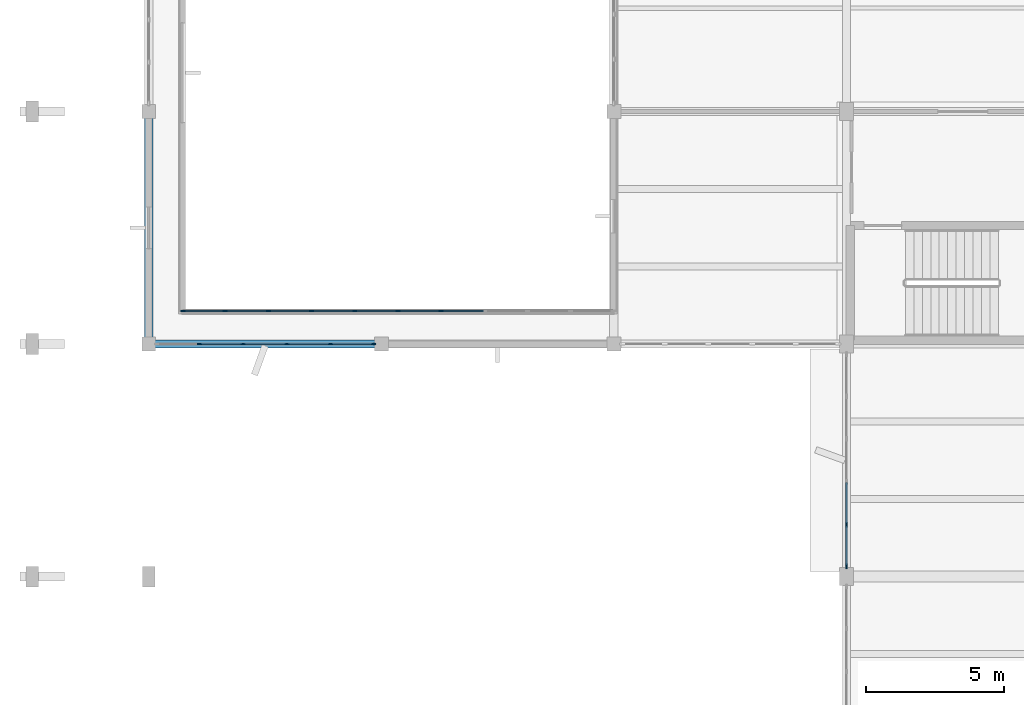
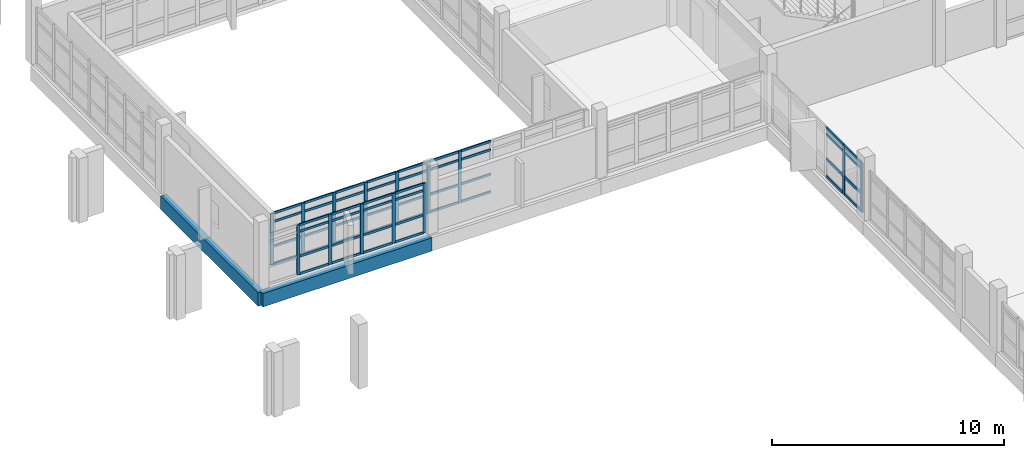
# One storey, part 28 of 104: 66 members, 2 beams, 3 elements without a shape of their own.
"""IFC4 building model written with IfcOpenShell, lengths in metres."""

from ifc_helpers import new_model, si_unit, direction, frame, origin, origin_2d, place, context, subcontext, project, spatial, rectangle, extrude, material, material_profile, profile_set, type_object, element, aggregate, save


model = new_model("IFC4")

# Units and contexts
model_context = context("Model", 3, precision=1e-05, world=origin(), true_north=direction((0.0, 1.0)))
body_context = subcontext(model_context, "Body", "Model", "MODEL_VIEW")
ifc_project = project(units=[si_unit("LENGTHUNIT", "METRE"), si_unit("AREAUNIT", "SQUARE_METRE"), si_unit("VOLUMEUNIT", "CUBIC_METRE"), si_unit("PLANEANGLEUNIT", "RADIAN"), si_unit("MASSUNIT", "GRAM", prefix="KILO")], contexts=[model_context])

# Site, building, storey
site_placement = place(None, origin())
site = spatial("IfcSite", under=ifc_project, at=site_placement, CompositionType="ELEMENT")
building_placement = place(site_placement, origin())
building = spatial("IfcBuilding", under=site, at=building_placement, Name="Vanh Quang Courtyard School", CompositionType="ELEMENT")
storey_placement = place(building_placement, frame((0.0, 0.0, 4.199951171875)))
storey = spatial("IfcBuildingStorey", under=building, at=storey_placement, Name="L01", CompositionType="ELEMENT", Elevation=4.199951171875)

# Beams
ifc_material_1 = material(Name="Concrete C35/45", Category="concrete")
ifc_material_profile_1 = material_profile(ifc_material_1, rectangle(XDim=0.300048828125, YDim=0.699951171875, at=origin_2d()), Name="RC-SP 300x700")
ifc_profile_set_1 = profile_set([ifc_material_profile_1], Name="Concrete C35/45")
beam_type = type_object("IfcBeamType", Name="BM-SP-300x700", PredefinedType="SPANDREL", material=ifc_profile_set_1)
for number, where, z_axis, x_axis, name in (
    (1, (4.199951171875, 88.199951171875, -0.6298828125), (1.0, 0.0, 0.0), (0.0, 1.0, 0.0), "Beam BS-01 (L01)"),
    (2, (4.199951171875, 88.199951171875, -0.6298828125), (0.0, 1.0, 0.0), (-1.0, 0.0, 0.0), "Beam BS-01 (L01)"),
):
    element("IfcBeam", number, at=place(storey_placement, frame(where, z_axis=z_axis, x_axis=x_axis)), inside=storey, type_object=beam_type, Name=name, PredefinedType="SPANDREL", context=body_context, shape_type="SweptSolid", body=[
        extrude(rectangle(XDim=0.300048828125, YDim=0.699951171875, at=origin_2d()), origin(), (0.0, 0.0, 1.0), 8.400146484375),
    ])

# Curtain wall, members
ifc_material_2 = material(Name="Thermally broken aluminium unitised curtain wall", Category="aluminium")
curtain_wall_type_1 = type_object("IfcCurtainWallType", Name="CW-SYS-19", PredefinedType="NOTDEFINED", material=ifc_material_2)
curtain_wall_1_placement = place(storey_placement, origin())
curtain_wall_1 = element("IfcCurtainWall", 3, at=curtain_wall_1_placement, inside=storey, type_object=curtain_wall_type_1, Name="Curtain Wall CW-19 (L01)", PredefinedType="NOTDEFINED")
ifc_material_3 = material(Name="Anodised aluminium 6063-T6", Category="aluminium")
ifc_material_profile_2 = material_profile(ifc_material_3, rectangle(XDim=0.06005859375, YDim=0.159912109375, at=origin_2d()), Name="ALU-MUL 60x160")
ifc_profile_set_2 = profile_set([ifc_material_profile_2], Name="Anodised aluminium 6063-T6")
member_type_1 = type_object("IfcMemberType", Name="CW-MUL-60x160", PredefinedType="MULLION", material=ifc_profile_set_2)
member_1_placement = place(storey_placement, frame((12.31201171875, 88.199951171875, 0.0), z_axis=(0.0, 0.0, 1.0), x_axis=(0.0, -1.0, 0.0)))
member_1 = element("IfcMember", 4, at=member_1_placement, type_object=member_type_1, Name="CW-19 mullion 1", PredefinedType="MULLION", context=body_context, shape_type="SweptSolid", body=[
    extrude(rectangle(XDim=0.06005859375, YDim=0.159912109375, at=origin_2d()), origin(), (0.0, 0.0, 1.0), 2.6201171875),
])
member_2_placement = place(storey_placement, frame((10.76513671875, 88.199951171875, 0.0), z_axis=(0.0, 0.0, 1.0), x_axis=(0.0, -1.0, 0.0)))
member_2 = element("IfcMember", 5, at=member_2_placement, type_object=member_type_1, Name="CW-19 mullion 2", PredefinedType="MULLION", context=body_context, shape_type="SweptSolid", body=[
    extrude(rectangle(XDim=0.06005859375, YDim=0.159912109375, at=origin_2d()), origin(), (0.0, 0.0, 1.0), 2.6201171875),
])
member_3_placement = place(storey_placement, frame((9.1884765625, 88.199951171875, 0.0), z_axis=(0.0, 0.0, 1.0), x_axis=(0.0, -1.0, 0.0)))
member_3 = element("IfcMember", 6, at=member_3_placement, type_object=member_type_1, Name="CW-19 mullion 3", PredefinedType="MULLION", context=body_context, shape_type="SweptSolid", body=[
    extrude(rectangle(XDim=0.06005859375, YDim=0.159912109375, at=origin_2d()), origin(), (0.0, 0.0, 1.0), 2.6201171875),
])
member_4_placement = place(storey_placement, frame((7.611572265625, 88.199951171875, 0.0), z_axis=(0.0, 0.0, 1.0), x_axis=(0.0, -1.0, 0.0)))
member_4 = element("IfcMember", 7, at=member_4_placement, type_object=member_type_1, Name="CW-19 mullion 4", PredefinedType="MULLION", context=body_context, shape_type="SweptSolid", body=[
    extrude(rectangle(XDim=0.06005859375, YDim=0.159912109375, at=origin_2d()), origin(), (0.0, 0.0, 1.0), 2.6201171875),
])
member_5_placement = place(storey_placement, frame((6.034912109375, 88.199951171875, 0.0), z_axis=(0.0, 0.0, 1.0), x_axis=(0.0, -1.0, 0.0)))
member_5 = element("IfcMember", 8, at=member_5_placement, type_object=member_type_1, Name="CW-19 mullion 5", PredefinedType="MULLION", context=body_context, shape_type="SweptSolid", body=[
    extrude(rectangle(XDim=0.06005859375, YDim=0.159912109375, at=origin_2d()), origin(), (0.0, 0.0, 1.0), 2.6201171875),
])

curtain_wall_type_2 = type_object("IfcCurtainWallType", Name="CW-SYS-35", PredefinedType="NOTDEFINED", material=ifc_material_2)
curtain_wall_2_placement = place(storey_placement, origin())
curtain_wall_2 = element("IfcCurtainWall", 9, at=curtain_wall_2_placement, inside=storey, type_object=curtain_wall_type_2, Name="Curtain Wall CW-35 (L01)", PredefinedType="NOTDEFINED")
member_6_placement = place(storey_placement, frame((5.429931640625, 89.39990234375, 0.0), z_axis=(0.0, 0.0, 1.0), x_axis=(0.0, 1.0, 0.0)))
member_6 = element("IfcMember", 10, at=member_6_placement, type_object=member_type_1, Name="CW-35 mullion 1", PredefinedType="MULLION", context=body_context, shape_type="SweptSolid", body=[
    extrude(rectangle(XDim=0.06005859375, YDim=0.159912109375, at=origin_2d()), origin(), (0.0, 0.0, 1.0), 2.719970703125),
])
member_7_placement = place(storey_placement, frame((6.9599609375, 89.39990234375, 0.0), z_axis=(0.0, 0.0, 1.0), x_axis=(0.0, 1.0, 0.0)))
member_7 = element("IfcMember", 11, at=member_7_placement, type_object=member_type_1, Name="CW-35 mullion 2", PredefinedType="MULLION", context=body_context, shape_type="SweptSolid", body=[
    extrude(rectangle(XDim=0.06005859375, YDim=0.159912109375, at=origin_2d()), origin(), (0.0, 0.0, 1.0), 2.719970703125),
])
member_8_placement = place(storey_placement, frame((8.52001953125, 89.39990234375, 0.0), z_axis=(0.0, 0.0, 1.0), x_axis=(0.0, 1.0, 0.0)))
member_8 = element("IfcMember", 12, at=member_8_placement, type_object=member_type_1, Name="CW-35 mullion 3", PredefinedType="MULLION", context=body_context, shape_type="SweptSolid", body=[
    extrude(rectangle(XDim=0.06005859375, YDim=0.159912109375, at=origin_2d()), origin(), (0.0, 0.0, 1.0), 2.719970703125),
])
member_9_placement = place(storey_placement, frame((10.080078125, 89.39990234375, 0.0), z_axis=(0.0, 0.0, 1.0), x_axis=(0.0, 1.0, 0.0)))
member_9 = element("IfcMember", 13, at=member_9_placement, type_object=member_type_1, Name="CW-35 mullion 4", PredefinedType="MULLION", context=body_context, shape_type="SweptSolid", body=[
    extrude(rectangle(XDim=0.06005859375, YDim=0.159912109375, at=origin_2d()), origin(), (0.0, 0.0, 1.0), 2.719970703125),
])
member_10_placement = place(storey_placement, frame((11.639892578125, 89.39990234375, 0.0), z_axis=(0.0, 0.0, 1.0), x_axis=(0.0, 1.0, 0.0)))
member_10 = element("IfcMember", 14, at=member_10_placement, type_object=member_type_1, Name="CW-35 mullion 5", PredefinedType="MULLION", context=body_context, shape_type="SweptSolid", body=[
    extrude(rectangle(XDim=0.06005859375, YDim=0.159912109375, at=origin_2d()), origin(), (0.0, 0.0, 1.0), 2.719970703125),
])
member_11_placement = place(storey_placement, frame((13.199951171875, 89.39990234375, 0.0), z_axis=(0.0, 0.0, 1.0), x_axis=(0.0, 1.0, 0.0)))
member_11 = element("IfcMember", 15, at=member_11_placement, type_object=member_type_1, Name="CW-35 mullion 6", PredefinedType="MULLION", context=body_context, shape_type="SweptSolid", body=[
    extrude(rectangle(XDim=0.06005859375, YDim=0.159912109375, at=origin_2d()), origin(), (0.0, 0.0, 1.0), 2.719970703125),
])
member_12_placement = place(storey_placement, frame((14.760009765625, 89.39990234375, 0.0), z_axis=(0.0, 0.0, 1.0), x_axis=(0.0, 1.0, 0.0)))
member_12 = element("IfcMember", 16, at=member_12_placement, type_object=member_type_1, Name="CW-35 mullion 7", PredefinedType="MULLION", context=body_context, shape_type="SweptSolid", body=[
    extrude(rectangle(XDim=0.06005859375, YDim=0.159912109375, at=origin_2d()), origin(), (0.0, 0.0, 1.0), 2.719970703125),
])

curtain_wall_type_3 = type_object("IfcCurtainWallType", Name="CW-SYS-21", PredefinedType="NOTDEFINED", material=ifc_material_2)
curtain_wall_3_placement = place(storey_placement, origin())
curtain_wall_3 = element("IfcCurtainWall", 17, at=curtain_wall_3_placement, inside=storey, type_object=curtain_wall_type_3, Name="Curtain Wall CW-21 (L01)", PredefinedType="NOTDEFINED")
ifc_material_profile_3 = material_profile(ifc_material_3, rectangle(XDim=0.070068359375, YDim=0.179931640625, at=origin_2d()), Name="ALU-MUL 70x180")
ifc_profile_set_3 = profile_set([ifc_material_profile_3], Name="Anodised aluminium 6063-T6")
member_type_2 = type_object("IfcMemberType", Name="CW-MUL-70x180", PredefinedType="MULLION", material=ifc_profile_set_3)
member_13_placement = place(storey_placement, frame((29.39990234375, 80.16796875, 0.0), z_axis=(0.0, 0.0, 1.0), x_axis=(-1.0, 0.0, 0.0)))
member_13 = element("IfcMember", 18, at=member_13_placement, type_object=member_type_2, Name="CW-21 mullion 1", PredefinedType="MULLION", context=body_context, shape_type="SweptSolid", body=[
    extrude(rectangle(XDim=0.070068359375, YDim=0.179931640625, at=origin_2d()), origin(), (0.0, 0.0, 1.0), 2.580078125),
])
member_14_placement = place(storey_placement, frame((29.39990234375, 81.6796875, 0.0), z_axis=(0.0, 0.0, 1.0), x_axis=(-1.0, 0.0, 0.0)))
member_14 = element("IfcMember", 19, at=member_14_placement, type_object=member_type_2, Name="CW-21 mullion 2", PredefinedType="MULLION", context=body_context, shape_type="SweptSolid", body=[
    extrude(rectangle(XDim=0.070068359375, YDim=0.179931640625, at=origin_2d()), origin(), (0.0, 0.0, 1.0), 2.580078125),
])

# Member
ifc_material_profile_4 = material_profile(ifc_material_3, rectangle(XDim=0.06005859375, YDim=0.1201171875, at=origin_2d()), Name="ALU-TRN 60x120")
ifc_profile_set_4 = profile_set([ifc_material_profile_4], Name="Anodised aluminium 6063-T6")
member_type_3 = type_object("IfcMemberType", Name="CW-TRN-60x120", PredefinedType="USERDEFINED", material=ifc_profile_set_4)
member_15_placement = place(storey_placement, frame((12.281982421875, 88.199951171875, 0.030029296875), z_axis=(-1.0, 0.0, 0.0), x_axis=(0.0, -1.0, 0.0)))
member_15 = element("IfcMember", 20, at=member_15_placement, type_object=member_type_3, Name="CW-19 transom 1.1", ObjectType="TRANSOM", PredefinedType="USERDEFINED", context=body_context, shape_type="SweptSolid", body=[
    extrude(rectangle(XDim=0.06005859375, YDim=0.1201171875, at=origin_2d()), origin(), (0.0, 0.0, 1.0), 1.48681640625),
])

member_16_placement = place(storey_placement, frame((12.281982421875, 88.199951171875, 0.949951171875), z_axis=(-1.0, 0.0, 0.0), x_axis=(0.0, -1.0, 0.0)))
member_16 = element("IfcMember", 21, at=member_16_placement, type_object=member_type_3, Name="CW-19 transom 1.2", ObjectType="TRANSOM", PredefinedType="USERDEFINED", context=body_context, shape_type="SweptSolid", body=[
    extrude(rectangle(XDim=0.06005859375, YDim=0.1201171875, at=origin_2d()), origin(), (0.0, 0.0, 1.0), 1.48681640625),
])

member_17_placement = place(storey_placement, frame((12.281982421875, 88.199951171875, 2.25), z_axis=(-1.0, 0.0, 0.0), x_axis=(0.0, -1.0, 0.0)))
member_17 = element("IfcMember", 22, at=member_17_placement, type_object=member_type_3, Name="CW-19 transom 1.3", ObjectType="TRANSOM", PredefinedType="USERDEFINED", context=body_context, shape_type="SweptSolid", body=[
    extrude(rectangle(XDim=0.06005859375, YDim=0.1201171875, at=origin_2d()), origin(), (0.0, 0.0, 1.0), 1.48681640625),
])

member_18_placement = place(storey_placement, frame((12.281982421875, 88.199951171875, 2.590087890625), z_axis=(-1.0, 0.0, 0.0), x_axis=(0.0, -1.0, 0.0)))
member_18 = element("IfcMember", 23, at=member_18_placement, type_object=member_type_3, Name="CW-19 transom 1.4", ObjectType="TRANSOM", PredefinedType="USERDEFINED", context=body_context, shape_type="SweptSolid", body=[
    extrude(rectangle(XDim=0.06005859375, YDim=0.1201171875, at=origin_2d()), origin(), (0.0, 0.0, 1.0), 1.48681640625),
])

member_19_placement = place(storey_placement, frame((10.735107421875, 88.199951171875, 0.030029296875), z_axis=(-1.0, 0.0, 0.0), x_axis=(0.0, -1.0, 0.0)))
member_19 = element("IfcMember", 24, at=member_19_placement, type_object=member_type_3, Name="CW-19 transom 2.1", ObjectType="TRANSOM", PredefinedType="USERDEFINED", context=body_context, shape_type="SweptSolid", body=[
    extrude(rectangle(XDim=0.06005859375, YDim=0.1201171875, at=origin_2d()), origin(), (0.0, 0.0, 1.0), 1.5166015625),
])

member_20_placement = place(storey_placement, frame((10.735107421875, 88.199951171875, 0.949951171875), z_axis=(-1.0, 0.0, 0.0), x_axis=(0.0, -1.0, 0.0)))
member_20 = element("IfcMember", 25, at=member_20_placement, type_object=member_type_3, Name="CW-19 transom 2.2", ObjectType="TRANSOM", PredefinedType="USERDEFINED", context=body_context, shape_type="SweptSolid", body=[
    extrude(rectangle(XDim=0.06005859375, YDim=0.1201171875, at=origin_2d()), origin(), (0.0, 0.0, 1.0), 1.5166015625),
])

member_21_placement = place(storey_placement, frame((10.735107421875, 88.199951171875, 2.25), z_axis=(-1.0, 0.0, 0.0), x_axis=(0.0, -1.0, 0.0)))
member_21 = element("IfcMember", 26, at=member_21_placement, type_object=member_type_3, Name="CW-19 transom 2.3", ObjectType="TRANSOM", PredefinedType="USERDEFINED", context=body_context, shape_type="SweptSolid", body=[
    extrude(rectangle(XDim=0.06005859375, YDim=0.1201171875, at=origin_2d()), origin(), (0.0, 0.0, 1.0), 1.5166015625),
])

member_22_placement = place(storey_placement, frame((10.735107421875, 88.199951171875, 2.590087890625), z_axis=(-1.0, 0.0, 0.0), x_axis=(0.0, -1.0, 0.0)))
member_22 = element("IfcMember", 27, at=member_22_placement, type_object=member_type_3, Name="CW-19 transom 2.4", ObjectType="TRANSOM", PredefinedType="USERDEFINED", context=body_context, shape_type="SweptSolid", body=[
    extrude(rectangle(XDim=0.06005859375, YDim=0.1201171875, at=origin_2d()), origin(), (0.0, 0.0, 1.0), 1.5166015625),
])

member_23_placement = place(storey_placement, frame((9.158447265625, 88.199951171875, 0.030029296875), z_axis=(-1.0, 0.0, 0.0), x_axis=(0.0, -1.0, 0.0)))
member_23 = element("IfcMember", 28, at=member_23_placement, type_object=member_type_3, Name="CW-19 transom 3.1", ObjectType="TRANSOM", PredefinedType="USERDEFINED", context=body_context, shape_type="SweptSolid", body=[
    extrude(rectangle(XDim=0.06005859375, YDim=0.1201171875, at=origin_2d()), origin(), (0.0, 0.0, 1.0), 1.516845703125),
])

member_24_placement = place(storey_placement, frame((9.158447265625, 88.199951171875, 0.949951171875), z_axis=(-1.0, 0.0, 0.0), x_axis=(0.0, -1.0, 0.0)))
member_24 = element("IfcMember", 29, at=member_24_placement, type_object=member_type_3, Name="CW-19 transom 3.2", ObjectType="TRANSOM", PredefinedType="USERDEFINED", context=body_context, shape_type="SweptSolid", body=[
    extrude(rectangle(XDim=0.06005859375, YDim=0.1201171875, at=origin_2d()), origin(), (0.0, 0.0, 1.0), 1.516845703125),
])

member_25_placement = place(storey_placement, frame((9.158447265625, 88.199951171875, 2.25), z_axis=(-1.0, 0.0, 0.0), x_axis=(0.0, -1.0, 0.0)))
member_25 = element("IfcMember", 30, at=member_25_placement, type_object=member_type_3, Name="CW-19 transom 3.3", ObjectType="TRANSOM", PredefinedType="USERDEFINED", context=body_context, shape_type="SweptSolid", body=[
    extrude(rectangle(XDim=0.06005859375, YDim=0.1201171875, at=origin_2d()), origin(), (0.0, 0.0, 1.0), 1.516845703125),
])

member_26_placement = place(storey_placement, frame((9.158447265625, 88.199951171875, 2.590087890625), z_axis=(-1.0, 0.0, 0.0), x_axis=(0.0, -1.0, 0.0)))
member_26 = element("IfcMember", 31, at=member_26_placement, type_object=member_type_3, Name="CW-19 transom 3.4", ObjectType="TRANSOM", PredefinedType="USERDEFINED", context=body_context, shape_type="SweptSolid", body=[
    extrude(rectangle(XDim=0.06005859375, YDim=0.1201171875, at=origin_2d()), origin(), (0.0, 0.0, 1.0), 1.516845703125),
])

member_27_placement = place(storey_placement, frame((7.58154296875, 88.199951171875, 0.030029296875), z_axis=(-1.0, 0.0, 0.0), x_axis=(0.0, -1.0, 0.0)))
member_27 = element("IfcMember", 32, at=member_27_placement, type_object=member_type_3, Name="CW-19 transom 4.1", ObjectType="TRANSOM", PredefinedType="USERDEFINED", context=body_context, shape_type="SweptSolid", body=[
    extrude(rectangle(XDim=0.06005859375, YDim=0.1201171875, at=origin_2d()), origin(), (0.0, 0.0, 1.0), 1.516845703125),
])

member_28_placement = place(storey_placement, frame((7.58154296875, 88.199951171875, 0.949951171875), z_axis=(-1.0, 0.0, 0.0), x_axis=(0.0, -1.0, 0.0)))
member_28 = element("IfcMember", 33, at=member_28_placement, type_object=member_type_3, Name="CW-19 transom 4.2", ObjectType="TRANSOM", PredefinedType="USERDEFINED", context=body_context, shape_type="SweptSolid", body=[
    extrude(rectangle(XDim=0.06005859375, YDim=0.1201171875, at=origin_2d()), origin(), (0.0, 0.0, 1.0), 1.516845703125),
])

member_29_placement = place(storey_placement, frame((7.58154296875, 88.199951171875, 2.25), z_axis=(-1.0, 0.0, 0.0), x_axis=(0.0, -1.0, 0.0)))
member_29 = element("IfcMember", 34, at=member_29_placement, type_object=member_type_3, Name="CW-19 transom 4.3", ObjectType="TRANSOM", PredefinedType="USERDEFINED", context=body_context, shape_type="SweptSolid", body=[
    extrude(rectangle(XDim=0.06005859375, YDim=0.1201171875, at=origin_2d()), origin(), (0.0, 0.0, 1.0), 1.516845703125),
])

member_30_placement = place(storey_placement, frame((7.58154296875, 88.199951171875, 2.590087890625), z_axis=(-1.0, 0.0, 0.0), x_axis=(0.0, -1.0, 0.0)))
member_30 = element("IfcMember", 35, at=member_30_placement, type_object=member_type_3, Name="CW-19 transom 4.4", ObjectType="TRANSOM", PredefinedType="USERDEFINED", context=body_context, shape_type="SweptSolid", body=[
    extrude(rectangle(XDim=0.06005859375, YDim=0.1201171875, at=origin_2d()), origin(), (0.0, 0.0, 1.0), 1.516845703125),
])

aggregate(curtain_wall_1, [member_1, member_2, member_3, member_4, member_5, member_15, member_16, member_17, member_18, member_19, member_20, member_21, member_22, member_23, member_24, member_25, member_26, member_27, member_28, member_29, member_30])

member_31_placement = place(storey_placement, frame((5.4599609375, 89.39990234375, 0.030029296875), z_axis=(1.0, 0.0, 0.0), x_axis=(0.0, 1.0, 0.0)))
member_31 = element("IfcMember", 36, at=member_31_placement, type_object=member_type_3, Name="CW-35 transom 1.1", ObjectType="TRANSOM", PredefinedType="USERDEFINED", context=body_context, shape_type="SweptSolid", body=[
    extrude(rectangle(XDim=0.06005859375, YDim=0.1201171875, at=origin_2d()), origin(), (0.0, 0.0, 1.0), 1.469970703125),
])

member_32_placement = place(storey_placement, frame((5.4599609375, 89.39990234375, 0.949951171875), z_axis=(1.0, 0.0, 0.0), x_axis=(0.0, 1.0, 0.0)))
member_32 = element("IfcMember", 37, at=member_32_placement, type_object=member_type_3, Name="CW-35 transom 1.2", ObjectType="TRANSOM", PredefinedType="USERDEFINED", context=body_context, shape_type="SweptSolid", body=[
    extrude(rectangle(XDim=0.06005859375, YDim=0.1201171875, at=origin_2d()), origin(), (0.0, 0.0, 1.0), 1.469970703125),
])

member_33_placement = place(storey_placement, frame((5.4599609375, 89.39990234375, 2.25), z_axis=(1.0, 0.0, 0.0), x_axis=(0.0, 1.0, 0.0)))
member_33 = element("IfcMember", 38, at=member_33_placement, type_object=member_type_3, Name="CW-35 transom 1.3", ObjectType="TRANSOM", PredefinedType="USERDEFINED", context=body_context, shape_type="SweptSolid", body=[
    extrude(rectangle(XDim=0.06005859375, YDim=0.1201171875, at=origin_2d()), origin(), (0.0, 0.0, 1.0), 1.469970703125),
])

member_34_placement = place(storey_placement, frame((5.4599609375, 89.39990234375, 2.68994140625), z_axis=(1.0, 0.0, 0.0), x_axis=(0.0, 1.0, 0.0)))
member_34 = element("IfcMember", 39, at=member_34_placement, type_object=member_type_3, Name="CW-35 transom 1.4", ObjectType="TRANSOM", PredefinedType="USERDEFINED", context=body_context, shape_type="SweptSolid", body=[
    extrude(rectangle(XDim=0.06005859375, YDim=0.1201171875, at=origin_2d()), origin(), (0.0, 0.0, 1.0), 1.469970703125),
])

member_35_placement = place(storey_placement, frame((6.989990234375, 89.39990234375, 0.030029296875), z_axis=(1.0, 0.0, 0.0), x_axis=(0.0, 1.0, 0.0)))
member_35 = element("IfcMember", 40, at=member_35_placement, type_object=member_type_3, Name="CW-35 transom 2.1", ObjectType="TRANSOM", PredefinedType="USERDEFINED", context=body_context, shape_type="SweptSolid", body=[
    extrude(rectangle(XDim=0.06005859375, YDim=0.1201171875, at=origin_2d()), origin(), (0.0, 0.0, 1.0), 1.5),
])

member_36_placement = place(storey_placement, frame((6.989990234375, 89.39990234375, 0.949951171875), z_axis=(1.0, 0.0, 0.0), x_axis=(0.0, 1.0, 0.0)))
member_36 = element("IfcMember", 41, at=member_36_placement, type_object=member_type_3, Name="CW-35 transom 2.2", ObjectType="TRANSOM", PredefinedType="USERDEFINED", context=body_context, shape_type="SweptSolid", body=[
    extrude(rectangle(XDim=0.06005859375, YDim=0.1201171875, at=origin_2d()), origin(), (0.0, 0.0, 1.0), 1.5),
])

member_37_placement = place(storey_placement, frame((6.989990234375, 89.39990234375, 2.25), z_axis=(1.0, 0.0, 0.0), x_axis=(0.0, 1.0, 0.0)))
member_37 = element("IfcMember", 42, at=member_37_placement, type_object=member_type_3, Name="CW-35 transom 2.3", ObjectType="TRANSOM", PredefinedType="USERDEFINED", context=body_context, shape_type="SweptSolid", body=[
    extrude(rectangle(XDim=0.06005859375, YDim=0.1201171875, at=origin_2d()), origin(), (0.0, 0.0, 1.0), 1.5),
])

member_38_placement = place(storey_placement, frame((6.989990234375, 89.39990234375, 2.68994140625), z_axis=(1.0, 0.0, 0.0), x_axis=(0.0, 1.0, 0.0)))
member_38 = element("IfcMember", 43, at=member_38_placement, type_object=member_type_3, Name="CW-35 transom 2.4", ObjectType="TRANSOM", PredefinedType="USERDEFINED", context=body_context, shape_type="SweptSolid", body=[
    extrude(rectangle(XDim=0.06005859375, YDim=0.1201171875, at=origin_2d()), origin(), (0.0, 0.0, 1.0), 1.5),
])

member_39_placement = place(storey_placement, frame((8.550048828125, 89.39990234375, 0.030029296875), z_axis=(1.0, 0.0, 0.0), x_axis=(0.0, 1.0, 0.0)))
member_39 = element("IfcMember", 44, at=member_39_placement, type_object=member_type_3, Name="CW-35 transom 3.1", ObjectType="TRANSOM", PredefinedType="USERDEFINED", context=body_context, shape_type="SweptSolid", body=[
    extrude(rectangle(XDim=0.06005859375, YDim=0.1201171875, at=origin_2d()), origin(), (0.0, 0.0, 1.0), 1.5),
])

member_40_placement = place(storey_placement, frame((8.550048828125, 89.39990234375, 0.949951171875), z_axis=(1.0, 0.0, 0.0), x_axis=(0.0, 1.0, 0.0)))
member_40 = element("IfcMember", 45, at=member_40_placement, type_object=member_type_3, Name="CW-35 transom 3.2", ObjectType="TRANSOM", PredefinedType="USERDEFINED", context=body_context, shape_type="SweptSolid", body=[
    extrude(rectangle(XDim=0.06005859375, YDim=0.1201171875, at=origin_2d()), origin(), (0.0, 0.0, 1.0), 1.5),
])

member_41_placement = place(storey_placement, frame((8.550048828125, 89.39990234375, 2.25), z_axis=(1.0, 0.0, 0.0), x_axis=(0.0, 1.0, 0.0)))
member_41 = element("IfcMember", 46, at=member_41_placement, type_object=member_type_3, Name="CW-35 transom 3.3", ObjectType="TRANSOM", PredefinedType="USERDEFINED", context=body_context, shape_type="SweptSolid", body=[
    extrude(rectangle(XDim=0.06005859375, YDim=0.1201171875, at=origin_2d()), origin(), (0.0, 0.0, 1.0), 1.5),
])

member_42_placement = place(storey_placement, frame((8.550048828125, 89.39990234375, 2.68994140625), z_axis=(1.0, 0.0, 0.0), x_axis=(0.0, 1.0, 0.0)))
member_42 = element("IfcMember", 47, at=member_42_placement, type_object=member_type_3, Name="CW-35 transom 3.4", ObjectType="TRANSOM", PredefinedType="USERDEFINED", context=body_context, shape_type="SweptSolid", body=[
    extrude(rectangle(XDim=0.06005859375, YDim=0.1201171875, at=origin_2d()), origin(), (0.0, 0.0, 1.0), 1.5),
])

member_43_placement = place(storey_placement, frame((10.110107421875, 89.39990234375, 0.030029296875), z_axis=(1.0, 0.0, 0.0), x_axis=(0.0, 1.0, 0.0)))
member_43 = element("IfcMember", 48, at=member_43_placement, type_object=member_type_3, Name="CW-35 transom 4.1", ObjectType="TRANSOM", PredefinedType="USERDEFINED", context=body_context, shape_type="SweptSolid", body=[
    extrude(rectangle(XDim=0.06005859375, YDim=0.1201171875, at=origin_2d()), origin(), (0.0, 0.0, 1.0), 1.5),
])

member_44_placement = place(storey_placement, frame((10.110107421875, 89.39990234375, 0.949951171875), z_axis=(1.0, 0.0, 0.0), x_axis=(0.0, 1.0, 0.0)))
member_44 = element("IfcMember", 49, at=member_44_placement, type_object=member_type_3, Name="CW-35 transom 4.2", ObjectType="TRANSOM", PredefinedType="USERDEFINED", context=body_context, shape_type="SweptSolid", body=[
    extrude(rectangle(XDim=0.06005859375, YDim=0.1201171875, at=origin_2d()), origin(), (0.0, 0.0, 1.0), 1.5),
])

member_45_placement = place(storey_placement, frame((10.110107421875, 89.39990234375, 2.25), z_axis=(1.0, 0.0, 0.0), x_axis=(0.0, 1.0, 0.0)))
member_45 = element("IfcMember", 50, at=member_45_placement, type_object=member_type_3, Name="CW-35 transom 4.3", ObjectType="TRANSOM", PredefinedType="USERDEFINED", context=body_context, shape_type="SweptSolid", body=[
    extrude(rectangle(XDim=0.06005859375, YDim=0.1201171875, at=origin_2d()), origin(), (0.0, 0.0, 1.0), 1.5),
])

member_46_placement = place(storey_placement, frame((10.110107421875, 89.39990234375, 2.68994140625), z_axis=(1.0, 0.0, 0.0), x_axis=(0.0, 1.0, 0.0)))
member_46 = element("IfcMember", 51, at=member_46_placement, type_object=member_type_3, Name="CW-35 transom 4.4", ObjectType="TRANSOM", PredefinedType="USERDEFINED", context=body_context, shape_type="SweptSolid", body=[
    extrude(rectangle(XDim=0.06005859375, YDim=0.1201171875, at=origin_2d()), origin(), (0.0, 0.0, 1.0), 1.5),
])

member_47_placement = place(storey_placement, frame((11.669921875, 89.39990234375, 0.030029296875), z_axis=(1.0, 0.0, 0.0), x_axis=(0.0, 1.0, 0.0)))
member_47 = element("IfcMember", 52, at=member_47_placement, type_object=member_type_3, Name="CW-35 transom 5.1", ObjectType="TRANSOM", PredefinedType="USERDEFINED", context=body_context, shape_type="SweptSolid", body=[
    extrude(rectangle(XDim=0.06005859375, YDim=0.1201171875, at=origin_2d()), origin(), (0.0, 0.0, 1.0), 1.5),
])

member_48_placement = place(storey_placement, frame((11.669921875, 89.39990234375, 0.949951171875), z_axis=(1.0, 0.0, 0.0), x_axis=(0.0, 1.0, 0.0)))
member_48 = element("IfcMember", 53, at=member_48_placement, type_object=member_type_3, Name="CW-35 transom 5.2", ObjectType="TRANSOM", PredefinedType="USERDEFINED", context=body_context, shape_type="SweptSolid", body=[
    extrude(rectangle(XDim=0.06005859375, YDim=0.1201171875, at=origin_2d()), origin(), (0.0, 0.0, 1.0), 1.5),
])

member_49_placement = place(storey_placement, frame((11.669921875, 89.39990234375, 2.25), z_axis=(1.0, 0.0, 0.0), x_axis=(0.0, 1.0, 0.0)))
member_49 = element("IfcMember", 54, at=member_49_placement, type_object=member_type_3, Name="CW-35 transom 5.3", ObjectType="TRANSOM", PredefinedType="USERDEFINED", context=body_context, shape_type="SweptSolid", body=[
    extrude(rectangle(XDim=0.06005859375, YDim=0.1201171875, at=origin_2d()), origin(), (0.0, 0.0, 1.0), 1.5),
])

member_50_placement = place(storey_placement, frame((11.669921875, 89.39990234375, 2.68994140625), z_axis=(1.0, 0.0, 0.0), x_axis=(0.0, 1.0, 0.0)))
member_50 = element("IfcMember", 55, at=member_50_placement, type_object=member_type_3, Name="CW-35 transom 5.4", ObjectType="TRANSOM", PredefinedType="USERDEFINED", context=body_context, shape_type="SweptSolid", body=[
    extrude(rectangle(XDim=0.06005859375, YDim=0.1201171875, at=origin_2d()), origin(), (0.0, 0.0, 1.0), 1.5),
])

member_51_placement = place(storey_placement, frame((13.22998046875, 89.39990234375, 0.030029296875), z_axis=(1.0, 0.0, 0.0), x_axis=(0.0, 1.0, 0.0)))
member_51 = element("IfcMember", 56, at=member_51_placement, type_object=member_type_3, Name="CW-35 transom 6.1", ObjectType="TRANSOM", PredefinedType="USERDEFINED", context=body_context, shape_type="SweptSolid", body=[
    extrude(rectangle(XDim=0.06005859375, YDim=0.1201171875, at=origin_2d()), origin(), (0.0, 0.0, 1.0), 1.5),
])

member_52_placement = place(storey_placement, frame((13.22998046875, 89.39990234375, 0.949951171875), z_axis=(1.0, 0.0, 0.0), x_axis=(0.0, 1.0, 0.0)))
member_52 = element("IfcMember", 57, at=member_52_placement, type_object=member_type_3, Name="CW-35 transom 6.2", ObjectType="TRANSOM", PredefinedType="USERDEFINED", context=body_context, shape_type="SweptSolid", body=[
    extrude(rectangle(XDim=0.06005859375, YDim=0.1201171875, at=origin_2d()), origin(), (0.0, 0.0, 1.0), 1.5),
])

member_53_placement = place(storey_placement, frame((13.22998046875, 89.39990234375, 2.25), z_axis=(1.0, 0.0, 0.0), x_axis=(0.0, 1.0, 0.0)))
member_53 = element("IfcMember", 58, at=member_53_placement, type_object=member_type_3, Name="CW-35 transom 6.3", ObjectType="TRANSOM", PredefinedType="USERDEFINED", context=body_context, shape_type="SweptSolid", body=[
    extrude(rectangle(XDim=0.06005859375, YDim=0.1201171875, at=origin_2d()), origin(), (0.0, 0.0, 1.0), 1.5),
])

member_54_placement = place(storey_placement, frame((13.22998046875, 89.39990234375, 2.68994140625), z_axis=(1.0, 0.0, 0.0), x_axis=(0.0, 1.0, 0.0)))
member_54 = element("IfcMember", 59, at=member_54_placement, type_object=member_type_3, Name="CW-35 transom 6.4", ObjectType="TRANSOM", PredefinedType="USERDEFINED", context=body_context, shape_type="SweptSolid", body=[
    extrude(rectangle(XDim=0.06005859375, YDim=0.1201171875, at=origin_2d()), origin(), (0.0, 0.0, 1.0), 1.5),
])

member_55_placement = place(storey_placement, frame((14.7900390625, 89.39990234375, 0.030029296875), z_axis=(1.0, 0.0, 0.0), x_axis=(0.0, 1.0, 0.0)))
member_55 = element("IfcMember", 60, at=member_55_placement, type_object=member_type_3, Name="CW-35 transom 7.1", ObjectType="TRANSOM", PredefinedType="USERDEFINED", context=body_context, shape_type="SweptSolid", body=[
    extrude(rectangle(XDim=0.06005859375, YDim=0.1201171875, at=origin_2d()), origin(), (0.0, 0.0, 1.0), 1.5),
])

member_56_placement = place(storey_placement, frame((14.7900390625, 89.39990234375, 0.949951171875), z_axis=(1.0, 0.0, 0.0), x_axis=(0.0, 1.0, 0.0)))
member_56 = element("IfcMember", 61, at=member_56_placement, type_object=member_type_3, Name="CW-35 transom 7.2", ObjectType="TRANSOM", PredefinedType="USERDEFINED", context=body_context, shape_type="SweptSolid", body=[
    extrude(rectangle(XDim=0.06005859375, YDim=0.1201171875, at=origin_2d()), origin(), (0.0, 0.0, 1.0), 1.5),
])

member_57_placement = place(storey_placement, frame((14.7900390625, 89.39990234375, 2.25), z_axis=(1.0, 0.0, 0.0), x_axis=(0.0, 1.0, 0.0)))
member_57 = element("IfcMember", 62, at=member_57_placement, type_object=member_type_3, Name="CW-35 transom 7.3", ObjectType="TRANSOM", PredefinedType="USERDEFINED", context=body_context, shape_type="SweptSolid", body=[
    extrude(rectangle(XDim=0.06005859375, YDim=0.1201171875, at=origin_2d()), origin(), (0.0, 0.0, 1.0), 1.5),
])

member_58_placement = place(storey_placement, frame((14.7900390625, 89.39990234375, 2.68994140625), z_axis=(1.0, 0.0, 0.0), x_axis=(0.0, 1.0, 0.0)))
member_58 = element("IfcMember", 63, at=member_58_placement, type_object=member_type_3, Name="CW-35 transom 7.4", ObjectType="TRANSOM", PredefinedType="USERDEFINED", context=body_context, shape_type="SweptSolid", body=[
    extrude(rectangle(XDim=0.06005859375, YDim=0.1201171875, at=origin_2d()), origin(), (0.0, 0.0, 1.0), 1.5),
])

aggregate(curtain_wall_2, [member_6, member_7, member_8, member_9, member_10, member_11, member_12, member_31, member_32, member_33, member_34, member_35, member_36, member_37, member_38, member_39, member_40, member_41, member_42, member_43, member_44, member_45, member_46, member_47, member_48, member_49, member_50, member_51, member_52, member_53, member_54, member_55, member_56, member_57, member_58])

ifc_material_profile_5 = material_profile(ifc_material_3, rectangle(XDim=0.070068359375, YDim=0.139892578125, at=origin_2d()), Name="ALU-TRN 70x140")
ifc_profile_set_5 = profile_set([ifc_material_profile_5], Name="Anodised aluminium 6063-T6")
member_type_4 = type_object("IfcMemberType", Name="CW-TRN-70x140", PredefinedType="USERDEFINED", material=ifc_profile_set_5)
member_59_placement = place(storey_placement, frame((29.39990234375, 80.202880859375, 0.03515625), z_axis=(0.0, 1.0, 0.0), x_axis=(-1.0, 0.0, 0.0)))
member_59 = element("IfcMember", 64, at=member_59_placement, type_object=member_type_4, Name="CW-21 transom 1.1", ObjectType="TRANSOM", PredefinedType="USERDEFINED", context=body_context, shape_type="SweptSolid", body=[
    extrude(rectangle(XDim=0.070068359375, YDim=0.139892578125, at=origin_2d()), origin(), (0.0, 0.0, 1.0), 1.44189453125),
])

member_60_placement = place(storey_placement, frame((29.39990234375, 80.202880859375, 0.949951171875), z_axis=(0.0, 1.0, 0.0), x_axis=(-1.0, 0.0, 0.0)))
member_60 = element("IfcMember", 65, at=member_60_placement, type_object=member_type_4, Name="CW-21 transom 1.2", ObjectType="TRANSOM", PredefinedType="USERDEFINED", context=body_context, shape_type="SweptSolid", body=[
    extrude(rectangle(XDim=0.070068359375, YDim=0.139892578125, at=origin_2d()), origin(), (0.0, 0.0, 1.0), 1.44189453125),
])

member_61_placement = place(storey_placement, frame((29.39990234375, 80.202880859375, 2.25), z_axis=(0.0, 1.0, 0.0), x_axis=(-1.0, 0.0, 0.0)))
member_61 = element("IfcMember", 66, at=member_61_placement, type_object=member_type_4, Name="CW-21 transom 1.3", ObjectType="TRANSOM", PredefinedType="USERDEFINED", context=body_context, shape_type="SweptSolid", body=[
    extrude(rectangle(XDim=0.070068359375, YDim=0.139892578125, at=origin_2d()), origin(), (0.0, 0.0, 1.0), 1.44189453125),
])

member_62_placement = place(storey_placement, frame((29.39990234375, 80.202880859375, 2.545166015625), z_axis=(0.0, 1.0, 0.0), x_axis=(-1.0, 0.0, 0.0)))
member_62 = element("IfcMember", 67, at=member_62_placement, type_object=member_type_4, Name="CW-21 transom 1.4", ObjectType="TRANSOM", PredefinedType="USERDEFINED", context=body_context, shape_type="SweptSolid", body=[
    extrude(rectangle(XDim=0.070068359375, YDim=0.139892578125, at=origin_2d()), origin(), (0.0, 0.0, 1.0), 1.44189453125),
])

member_63_placement = place(storey_placement, frame((29.39990234375, 81.71484375, 0.03515625), z_axis=(0.0, 1.0, 0.0), x_axis=(-1.0, 0.0, 0.0)))
member_63 = element("IfcMember", 68, at=member_63_placement, type_object=member_type_4, Name="CW-21 transom 2.1", ObjectType="TRANSOM", PredefinedType="USERDEFINED", context=body_context, shape_type="SweptSolid", body=[
    extrude(rectangle(XDim=0.070068359375, YDim=0.139892578125, at=origin_2d()), origin(), (0.0, 0.0, 1.0), 1.476806640625),
])

member_64_placement = place(storey_placement, frame((29.39990234375, 81.71484375, 0.949951171875), z_axis=(0.0, 1.0, 0.0), x_axis=(-1.0, 0.0, 0.0)))
member_64 = element("IfcMember", 69, at=member_64_placement, type_object=member_type_4, Name="CW-21 transom 2.2", ObjectType="TRANSOM", PredefinedType="USERDEFINED", context=body_context, shape_type="SweptSolid", body=[
    extrude(rectangle(XDim=0.070068359375, YDim=0.139892578125, at=origin_2d()), origin(), (0.0, 0.0, 1.0), 1.476806640625),
])

member_65_placement = place(storey_placement, frame((29.39990234375, 81.71484375, 2.25), z_axis=(0.0, 1.0, 0.0), x_axis=(-1.0, 0.0, 0.0)))
member_65 = element("IfcMember", 70, at=member_65_placement, type_object=member_type_4, Name="CW-21 transom 2.3", ObjectType="TRANSOM", PredefinedType="USERDEFINED", context=body_context, shape_type="SweptSolid", body=[
    extrude(rectangle(XDim=0.070068359375, YDim=0.139892578125, at=origin_2d()), origin(), (0.0, 0.0, 1.0), 1.476806640625),
])

member_66_placement = place(storey_placement, frame((29.39990234375, 81.71484375, 2.545166015625), z_axis=(0.0, 1.0, 0.0), x_axis=(-1.0, 0.0, 0.0)))
member_66 = element("IfcMember", 71, at=member_66_placement, type_object=member_type_4, Name="CW-21 transom 2.4", ObjectType="TRANSOM", PredefinedType="USERDEFINED", context=body_context, shape_type="SweptSolid", body=[
    extrude(rectangle(XDim=0.070068359375, YDim=0.139892578125, at=origin_2d()), origin(), (0.0, 0.0, 1.0), 1.476806640625),
])

aggregate(curtain_wall_3, [member_13, member_14, member_59, member_60, member_61, member_62, member_63, member_64, member_65, member_66])

save(model, "model.ifc")
